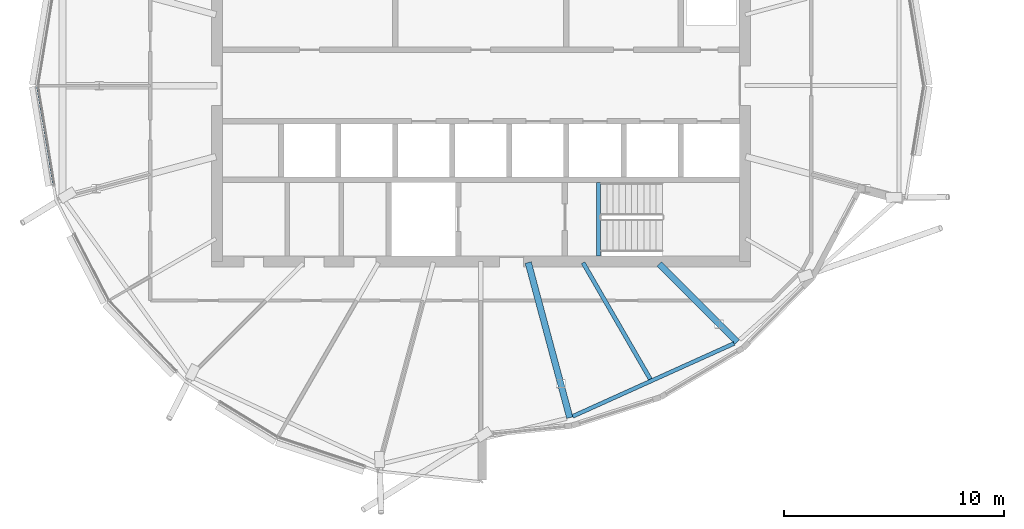
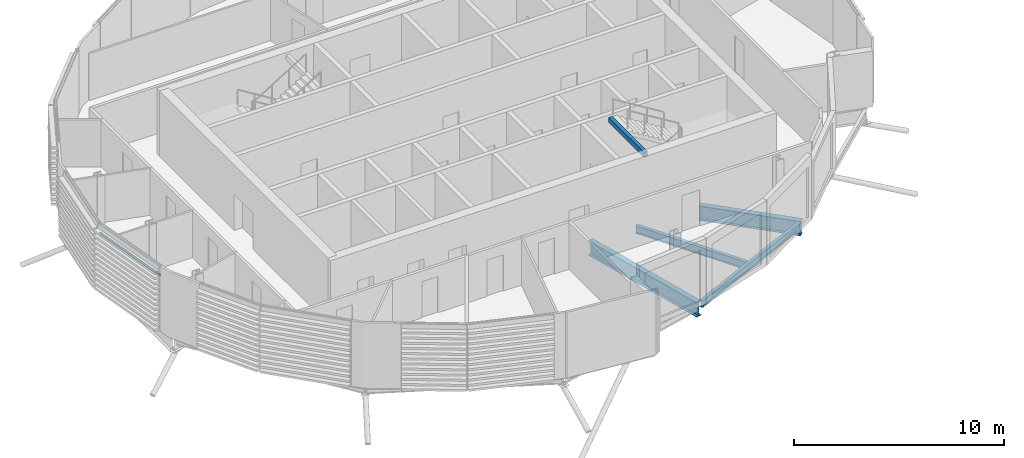
# One storey, part 4 of 36: 5 beams, 1 member, 1 element without a shape of its own.
"""IFC4 building model written with IfcOpenShell, lengths in metres."""

from ifc_helpers import new_model, si_unit, direction, frame, origin, origin_2d, place, context, subcontext, project, spatial, rectangle, hollow_rectangle, i_section, extrude, material, material_profile, profile_set, type_object, element, aggregate, save


model = new_model("IFC4")

# Units and contexts
model_context = context("Model", 3, precision=1e-05, world=origin(), true_north=direction((0.0, 1.0)))
body_context = subcontext(model_context, "Body", "Model", "MODEL_VIEW")
ifc_project = project(units=[si_unit("LENGTHUNIT", "METRE"), si_unit("AREAUNIT", "SQUARE_METRE"), si_unit("VOLUMEUNIT", "CUBIC_METRE"), si_unit("PLANEANGLEUNIT", "RADIAN"), si_unit("MASSUNIT", "GRAM", prefix="KILO")], contexts=[model_context])

# Site, building, storey
site_placement = place(None, origin())
site = spatial("IfcSite", under=ifc_project, at=site_placement, CompositionType="ELEMENT")
building_placement = place(site_placement, origin())
building = spatial("IfcBuilding", under=site, at=building_placement, Name="Rimbun Link Towers", CompositionType="ELEMENT")
storey_placement = place(building_placement, frame((0.0, 0.0, 248.5)))
storey = spatial("IfcBuildingStorey", under=building, at=storey_placement, Name="L61", CompositionType="ELEMENT", Elevation=248.5)

# Curtain wall, member
ifc_material_1 = material(Name="Aluminium 6063-T6 and low-iron glass", Category="aluminium")
curtain_wall_type = type_object("IfcCurtainWallType", Name="CW1-Z4 unitised vision wall (zone 4)", PredefinedType="NOTDEFINED", material=ifc_material_1)
curtain_wall_placement = place(storey_placement, origin())
curtain_wall = element("IfcCurtainWall", 1, at=curtain_wall_placement, inside=storey, type_object=curtain_wall_type, Name="CW1 L61 T1", PredefinedType="NOTDEFINED")
ifc_material_2 = material(Name="Aluminium 6063-T6", Category="aluminium")
ifc_material_profile_1 = material_profile(ifc_material_2, rectangle(XDim=0.06005859375, YDim=0.1201171875, at=origin_2d()), Name="TRANSOM 60X120")
ifc_profile_set_1 = profile_set([ifc_material_profile_1], Name="Aluminium 6063-T6")
member_type = type_object("IfcMemberType", Name="CW1 transom 60X120", PredefinedType="USERDEFINED", material=ifc_profile_set_1)
member_placement = place(storey_placement, frame((-51.1767578125, -4.4990234375, 3.199951171875), z_axis=(-0.16226135535, 0.986747816091, 0.0), x_axis=(-0.986747816091, -0.16226135535, 0.0)))
member = element("IfcMember", 2, at=member_placement, type_object=member_type, Name="CW1 transom", ObjectType="TRANSOM", PredefinedType="USERDEFINED", context=body_context, shape_type="SweptSolid", body=[
    extrude(rectangle(XDim=0.06005859375, YDim=0.1201171875, at=origin_2d()), origin(), (0.0, 0.0, 1.0), 4.519775390625),
])
aggregate(curtain_wall, [member])

# Beams
ifc_material_3 = material(Name="Steel S355J2", Category="steel")
ifc_material_profile_2 = material_profile(ifc_material_3, hollow_rectangle(XDim=0.199951171875, YDim=0.300048828125, WallThickness=0.011962890625, at=origin_2d()), Name="BOX 300x200x12")
ifc_profile_set_2 = profile_set([ifc_material_profile_2], Name="Steel S355J2")
beam_type_1 = type_object("IfcBeamType", Name="Stair trimmer beam BOX 300x200x12", PredefinedType="BEAM", material=ifc_profile_set_2)
beam_1_placement = place(storey_placement, frame((-26.39990234375, -7.75, 3.510009765625), z_axis=(0.0, 1.0, 0.0), x_axis=(-1.0, 0.0, 0.0)))
element("IfcBeam", 3, at=beam_1_placement, inside=storey, type_object=beam_type_1, Name="L61 ST2 stair beam 1", PredefinedType="BEAM", context=body_context, shape_type="SweptSolid", body=[
    extrude(hollow_rectangle(XDim=0.199951171875, YDim=0.300048828125, WallThickness=0.011962890625, at=origin_2d()), origin(), (0.0, 0.0, 1.0), 3.35009765625),
])
ifc_material_4 = material(Name="Steel S355J2", Category="steel")
ifc_material_profile_3 = material_profile(ifc_material_4, i_section(OverallWidth=0.177978515625, OverallDepth=0.406494140625, WebThickness=0.0078125, FlangeThickness=0.0126953125, at=origin_2d()), Name="UB 406x178x60")
ifc_profile_set_3 = profile_set([ifc_material_profile_3], Name="Steel S355J2")
beam_type_2 = type_object("IfcBeamType", Name="UB 406x178x60", PredefinedType="BEAM", material=ifc_profile_set_3)
beam_2_placement = place(storey_placement, frame((-27.570556640625, -15.029541015625, -0.34326171875), z_axis=(0.911376108196, 0.411574524734, 0.0), x_axis=(-0.411574524734, 0.911376108196, 0.0)))
element("IfcBeam", 4, at=beam_2_placement, inside=storey, type_object=beam_type_2, Name="Edge beam T1 L61 19-21", PredefinedType="BEAM", context=body_context, shape_type="SweptSolid", body=[
    extrude(i_section(OverallWidth=0.177978515625, OverallDepth=0.406494140625, WebThickness=0.0078125, FlangeThickness=0.0126953125, at=origin_2d()), origin(), (0.0, 0.0, 1.0), 8.044189453125),
])
ifc_material_5 = material(Name="Steel S355J2", Category="steel")
ifc_material_profile_4 = material_profile(ifc_material_5, i_section(OverallWidth=0.18994140625, OverallDepth=0.453369140625, WebThickness=0.008544921875, FlangeThickness=0.0126953125, at=origin_2d()), Name="UB 457x191x67")
ifc_profile_set_4 = profile_set([ifc_material_profile_4], Name="Steel S355J2")
beam_type_3 = type_object("IfcBeamType", Name="UB 457x191x67", PredefinedType="BEAM", material=ifc_profile_set_4)
beam_3_placement = place(storey_placement, frame((-27.103271484375, -8.04833984375, -0.36669921875), z_axis=(0.499997989718, -0.866026564418, 0.0), x_axis=(0.866026564418, 0.499997989718, 0.0)))
element("IfcBeam", 5, at=beam_3_placement, inside=storey, type_object=beam_type_3, Name="Radial beam T1 L61 20", PredefinedType="BEAM", context=body_context, shape_type="SweptSolid", body=[
    extrude(i_section(OverallWidth=0.18994140625, OverallDepth=0.453369140625, WebThickness=0.008544921875, FlangeThickness=0.0126953125, at=origin_2d()), origin(), (0.0, 0.0, 1.0), 6.1103515625),
])
ifc_material_6 = material(Name="Steel S355J2", Category="steel")
ifc_material_profile_5 = material_profile(ifc_material_6, i_section(OverallWidth=0.29248046875, OverallDepth=0.8408203125, WebThickness=0.0126953125, FlangeThickness=0.021728515625, at=origin_2d()), Name="UB 838x292x194")
ifc_profile_set_5 = profile_set([ifc_material_profile_5], Name="Steel S355J2")
beam_type_4 = type_object("IfcBeamType", Name="UB 838x292x194", PredefinedType="BEAM", material=ifc_profile_set_5)
beam_4_placement = place(storey_placement, frame((-29.595947265625, -8.038818359375, -0.560302734375), z_axis=(0.25882801755, -0.965923422084, 0.0), x_axis=(0.965923422084, 0.25882801755, 0.0)))
element("IfcBeam", 6, at=beam_4_placement, inside=storey, type_object=beam_type_4, Name="Radial beam T1 L61 19", PredefinedType="BEAM", context=body_context, shape_type="SweptSolid", body=[
    extrude(i_section(OverallWidth=0.29248046875, OverallDepth=0.8408203125, WebThickness=0.0126953125, FlangeThickness=0.021728515625, at=origin_2d()), origin(), (0.0, 0.0, 1.0), 7.30078125),
])
beam_5_placement = place(storey_placement, frame((-23.64599609375, -8.10400390625, -0.560302734375), z_axis=(0.707106781187, -0.707106781187, 0.0), x_axis=(0.707106781187, 0.707106781187, 0.0)))
element("IfcBeam", 7, at=beam_5_placement, inside=storey, type_object=beam_type_4, Name="Radial beam T1 L61 21", PredefinedType="BEAM", context=body_context, shape_type="SweptSolid", body=[
    extrude(i_section(OverallWidth=0.29248046875, OverallDepth=0.8408203125, WebThickness=0.0126953125, FlangeThickness=0.021728515625, at=origin_2d()), origin(), (0.0, 0.0, 1.0), 5.0205078125),
])

save(model, "model.ifc")
